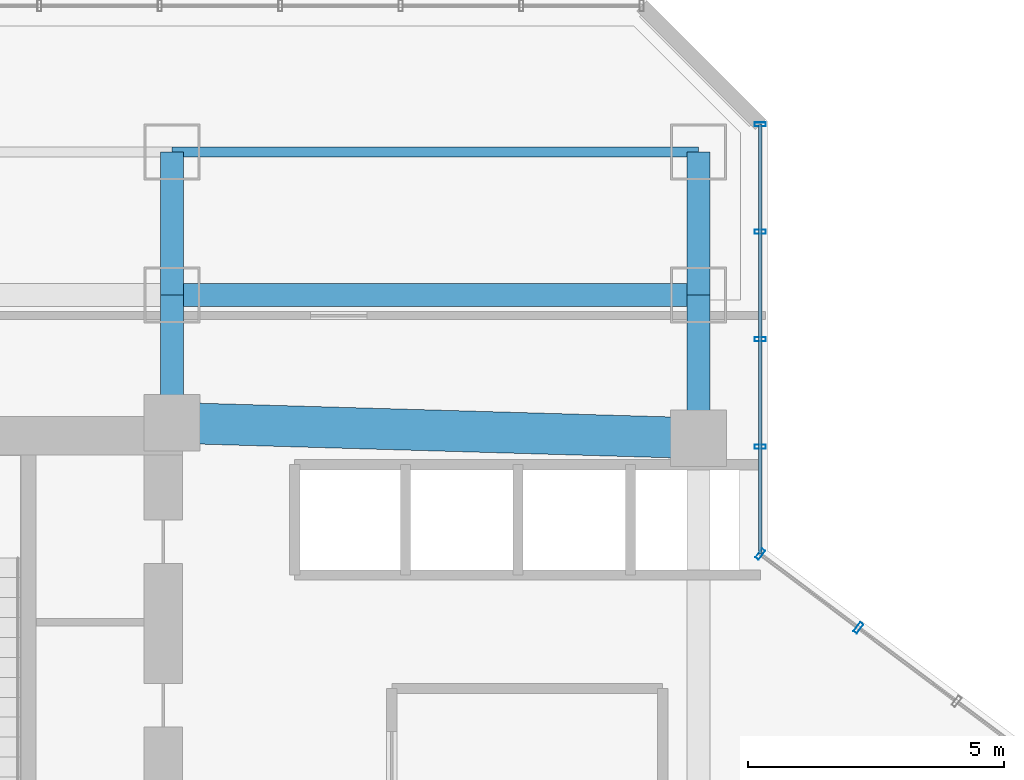
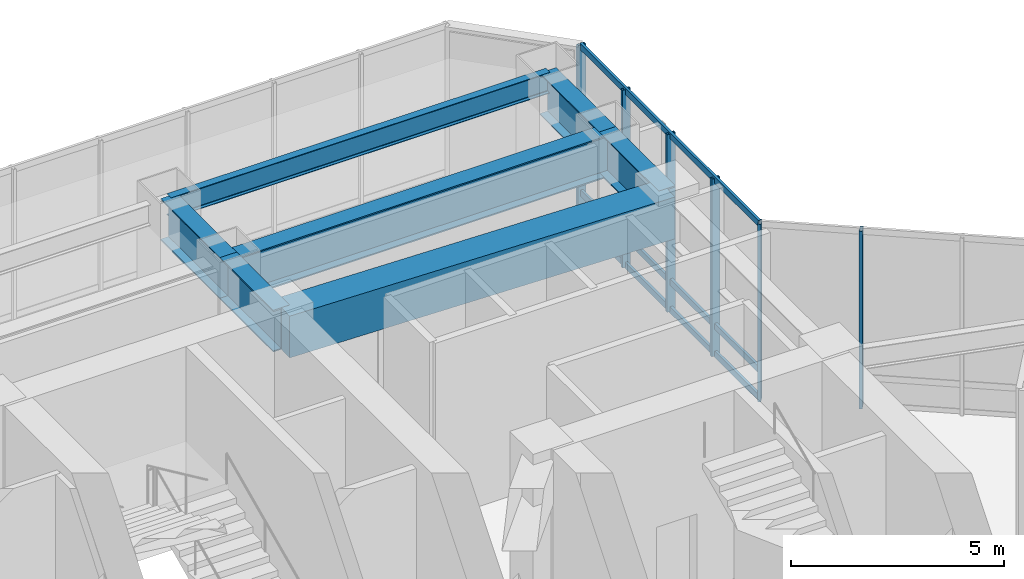
# One storey, part 20 of 35: 9 members, 7 beams, 2 elements without a shape of their own.
"""IFC4 building model written with IfcOpenShell, lengths in metres."""

from ifc_helpers import new_model, si_unit, direction, frame, origin, origin_2d, place, context, subcontext, project, spatial, rectangle, hollow_rectangle, i_section, extrude, material, layer, layer_set, material_profile, profile_set, type_object, element, aggregate, save


model = new_model("IFC4")

# Units and contexts
model_context = context("Model", 3, precision=1e-05, world=origin(), true_north=direction((0.0, 1.0)))
body_context = subcontext(model_context, "Body", "Model", "MODEL_VIEW")
ifc_project = project(units=[si_unit("LENGTHUNIT", "METRE"), si_unit("AREAUNIT", "SQUARE_METRE"), si_unit("VOLUMEUNIT", "CUBIC_METRE"), si_unit("PLANEANGLEUNIT", "RADIAN"), si_unit("MASSUNIT", "GRAM", prefix="KILO")], contexts=[model_context])

# Site, building, storey
site_placement = place(None, origin())
site = spatial("IfcSite", under=ifc_project, at=site_placement, CompositionType="ELEMENT")
building_placement = place(site_placement, origin())
building = spatial("IfcBuilding", under=site, at=building_placement, Name="Hatsunagi Terrace Concourse", CompositionType="ELEMENT")
storey_placement = place(building_placement, frame((0.0, 0.0, 5.39990234375)))
storey = spatial("IfcBuildingStorey", under=building, at=storey_placement, Name="L02", CompositionType="ELEMENT", Elevation=5.39990234375)

# Beam
ifc_material_1 = material(Name="Concrete Fc60", Category="concrete")
ifc_material_profile_1 = material_profile(ifc_material_1, rectangle(XDim=0.800048828125, YDim=1.199951171875, at=origin_2d()), Name="RC-800x1200")
ifc_profile_set_1 = profile_set([ifc_material_profile_1], Name="Concrete Fc60")
beam_type_1 = type_object("IfcBeamType", Name="CoreCouplingBeam_RC_800x1200", PredefinedType="BEAM", material=ifc_profile_set_1)
beam_1_placement = place(storey_placement, frame((33.35009765625, 43.300048828125, 4.5), z_axis=(0.999575947545, -0.029119153303, 0.0), x_axis=(0.029119153303, 0.999575947545, 0.0)))
element("IfcBeam", 1, at=beam_1_placement, inside=storey, type_object=beam_type_1, Name="Beam CB-01 CB-L02-2", PredefinedType="BEAM", context=body_context, shape_type="SweptSolid", body=[
    extrude(rectangle(XDim=0.800048828125, YDim=1.199951171875, at=origin_2d()), origin(), (0.0, 0.0, 1.0), 10.30419921875),
])

# Curtain wall, members
ifc_material_2 = material(Name="Anodised Aluminium Alloy 6063-T5", Category="aluminium")
ifc_layer = layer(ifc_material_2, 0.199951171875)
ifc_layer_set = layer_set([ifc_layer], Name="PodiumStorefront_CW01")
curtain_wall_type = type_object("IfcCurtainWallType", Name="PodiumStorefront_CW01", PredefinedType="NOTDEFINED", material=ifc_layer_set)
curtain_wall_1_placement = place(storey_placement, origin())
curtain_wall_1 = element("IfcCurtainWall", 2, at=curtain_wall_1_placement, inside=storey, type_object=curtain_wall_type, Name="Unitised Curtain Wall CW-01 CW-L02-01", PredefinedType="NOTDEFINED")
ifc_material_3 = material(Name="Anodised Aluminium Alloy 6063-T5", Category="aluminium")
ifc_material_profile_2 = material_profile(ifc_material_3, hollow_rectangle(XDim=0.080078125, YDim=0.219970703125, WallThickness=0.0048828125, at=origin_2d()), Name="ALU-MUL-220x80x5")
ifc_profile_set_2 = profile_set([ifc_material_profile_2], Name="Anodised Aluminium Alloy 6063-T5")
member_type_1 = type_object("IfcMemberType", Name="CurtainWallMullion_Heavy_220x80", PredefinedType="MULLION", material=ifc_profile_set_2)
member_1_placement = place(storey_placement, frame((44.860107421875, 40.72998046875, 0.0), z_axis=(0.0, 0.0, 1.0), x_axis=(0.800007305671, -0.599990258982, 0.0)))
member_1 = element("IfcMember", 3, at=member_1_placement, type_object=member_type_1, Name="Curtain Wall Mullion MUL-01", PredefinedType="MULLION", context=body_context, shape_type="SweptSolid", body=[
    extrude(hollow_rectangle(XDim=0.080078125, YDim=0.219970703125, WallThickness=0.0048828125, at=origin_2d()), origin(), (0.0, 0.0, 1.0), 5.10009765625),
])
member_2_placement = place(storey_placement, frame((46.781005859375, 39.2890625, 0.0), z_axis=(0.0, 0.0, 1.0), x_axis=(0.800007305671, -0.599990258982, 0.0)))
member_2 = element("IfcMember", 4, at=member_2_placement, type_object=member_type_1, Name="Curtain Wall Mullion MUL-01", PredefinedType="MULLION", context=body_context, shape_type="SweptSolid", body=[
    extrude(hollow_rectangle(XDim=0.080078125, YDim=0.219970703125, WallThickness=0.0048828125, at=origin_2d()), origin(), (0.0, 0.0, 1.0), 5.10009765625),
])
aggregate(curtain_wall_1, [member_1, member_2])

curtain_wall_2_placement = place(storey_placement, origin())
curtain_wall_2 = element("IfcCurtainWall", 5, at=curtain_wall_2_placement, inside=storey, type_object=curtain_wall_type, Name="Unitised Curtain Wall CW-01 CW-L02-14", PredefinedType="NOTDEFINED")
member_3_placement = place(storey_placement, frame((44.860107421875, 49.14208984375, 0.0), z_axis=(0.0, 0.0, 1.0), x_axis=(0.0, -1.0, 0.0)))
member_3 = element("IfcMember", 6, at=member_3_placement, type_object=member_type_1, Name="Curtain Wall Mullion MUL-01", PredefinedType="MULLION", context=body_context, shape_type="SweptSolid", body=[
    extrude(hollow_rectangle(XDim=0.080078125, YDim=0.219970703125, WallThickness=0.0048828125, at=origin_2d()), origin(), (0.0, 0.0, 1.0), 5.10009765625),
])
member_4_placement = place(storey_placement, frame((44.860107421875, 47.0390625, 0.0), z_axis=(0.0, 0.0, 1.0), x_axis=(0.0, -1.0, 0.0)))
member_4 = element("IfcMember", 7, at=member_4_placement, type_object=member_type_1, Name="Curtain Wall Mullion MUL-01", PredefinedType="MULLION", context=body_context, shape_type="SweptSolid", body=[
    extrude(hollow_rectangle(XDim=0.080078125, YDim=0.219970703125, WallThickness=0.0048828125, at=origin_2d()), origin(), (0.0, 0.0, 1.0), 5.10009765625),
])
member_5_placement = place(storey_placement, frame((44.860107421875, 44.93603515625, 0.0), z_axis=(0.0, 0.0, 1.0), x_axis=(0.0, -1.0, 0.0)))
member_5 = element("IfcMember", 8, at=member_5_placement, type_object=member_type_1, Name="Curtain Wall Mullion MUL-01", PredefinedType="MULLION", context=body_context, shape_type="SweptSolid", body=[
    extrude(hollow_rectangle(XDim=0.080078125, YDim=0.219970703125, WallThickness=0.0048828125, at=origin_2d()), origin(), (0.0, 0.0, 1.0), 5.10009765625),
])
member_6_placement = place(storey_placement, frame((44.860107421875, 42.8330078125, 0.0), z_axis=(0.0, 0.0, 1.0), x_axis=(0.0, -1.0, 0.0)))
member_6 = element("IfcMember", 9, at=member_6_placement, type_object=member_type_1, Name="Curtain Wall Mullion MUL-01", PredefinedType="MULLION", context=body_context, shape_type="SweptSolid", body=[
    extrude(hollow_rectangle(XDim=0.080078125, YDim=0.219970703125, WallThickness=0.0048828125, at=origin_2d()), origin(), (0.0, 0.0, 1.0), 5.10009765625),
])
ifc_material_4 = material(Name="Anodised Aluminium Alloy 6063-T5", Category="aluminium")
ifc_material_profile_3 = material_profile(ifc_material_4, hollow_rectangle(XDim=0.070068359375, YDim=0.179931640625, WallThickness=0.00390625, at=origin_2d()), Name="ALU-TRN-180x70x4")
ifc_profile_set_3 = profile_set([ifc_material_profile_3], Name="Anodised Aluminium Alloy 6063-T5")
member_type_2 = type_object("IfcMemberType", Name="CurtainWallTransom_Heavy_180x70", PredefinedType="USERDEFINED", material=ifc_profile_set_3)
member_7_placement = place(storey_placement, frame((44.860107421875, 49.14208984375, 0.050048828125), z_axis=(0.0, -1.0, 0.0), x_axis=(1.0, 0.0, 0.0)))
member_7 = element("IfcMember", 10, at=member_7_placement, type_object=member_type_2, Name="Curtain Wall Transom TRN-01", ObjectType="TRANSOM", PredefinedType="USERDEFINED", context=body_context, shape_type="SweptSolid", body=[
    extrude(hollow_rectangle(XDim=0.070068359375, YDim=0.179931640625, WallThickness=0.00390625, at=origin_2d()), origin(), (0.0, 0.0, 1.0), 8.412109375),
])
member_8_placement = place(storey_placement, frame((44.860107421875, 49.14208984375, 0.85009765625), z_axis=(0.0, -1.0, 0.0), x_axis=(1.0, 0.0, 0.0)))
member_8 = element("IfcMember", 11, at=member_8_placement, type_object=member_type_2, Name="Curtain Wall Transom TRN-01", ObjectType="TRANSOM", PredefinedType="USERDEFINED", context=body_context, shape_type="SweptSolid", body=[
    extrude(hollow_rectangle(XDim=0.070068359375, YDim=0.179931640625, WallThickness=0.00390625, at=origin_2d()), origin(), (0.0, 0.0, 1.0), 8.412109375),
])
member_9_placement = place(storey_placement, frame((44.860107421875, 49.14208984375, 5.050048828125), z_axis=(0.0, -1.0, 0.0), x_axis=(1.0, 0.0, 0.0)))
member_9 = element("IfcMember", 12, at=member_9_placement, type_object=member_type_2, Name="Curtain Wall Transom TRN-01", ObjectType="TRANSOM", PredefinedType="USERDEFINED", context=body_context, shape_type="SweptSolid", body=[
    extrude(hollow_rectangle(XDim=0.070068359375, YDim=0.179931640625, WallThickness=0.00390625, at=origin_2d()), origin(), (0.0, 0.0, 1.0), 8.412109375),
])
aggregate(curtain_wall_2, [member_3, member_4, member_5, member_6, member_7, member_8, member_9])

# Beams
ifc_material_5 = material(Name="Steel SN490B", Category="steel")
ifc_material_profile_4 = material_profile(ifc_material_5, i_section(OverallWidth=0.199951171875, OverallDepth=0.60009765625, WebThickness=0.010986328125, FlangeThickness=0.01708984375, FilletRadius=0.01806640625, at=origin_2d()), Name="H-600x200x11x17")
ifc_profile_set_4 = profile_set([ifc_material_profile_4], Name="Steel SN490B")
beam_type_2 = type_object("IfcBeamType", Name="PerimeterSpandrel_H_600x200", PredefinedType="SPANDREL", material=ifc_profile_set_4)
beam_2_placement = place(storey_placement, frame((33.35009765625, 48.60009765625, 4.800048828125), z_axis=(1.0, 0.0, 0.0), x_axis=(0.0, 1.0, 0.0)))
element("IfcBeam", 13, at=beam_2_placement, inside=storey, type_object=beam_type_2, Name="Beam SP-01 BM-L02-WN-33", PredefinedType="SPANDREL", context=body_context, shape_type="SweptSolid", body=[
    extrude(i_section(OverallWidth=0.199951171875, OverallDepth=0.60009765625, WebThickness=0.010986328125, FlangeThickness=0.01708984375, FilletRadius=0.01806640625, at=origin_2d()), origin(), (0.0, 0.0, 1.0), 10.2998046875),
])
ifc_material_6 = material(Name="Steel SN490B", Category="steel")
ifc_material_profile_5 = material_profile(ifc_material_6, i_section(OverallWidth=0.449951171875, OverallDepth=1.199951171875, WebThickness=0.02490234375, FlangeThickness=0.035888671875, at=origin_2d()), Name="BH-1200x450x25x36")
ifc_profile_set_5 = profile_set([ifc_material_profile_5], Name="Steel SN490B")
beam_type_3 = type_object("IfcBeamType", Name="PodiumHallGirder_BH_1200x450x25x36", PredefinedType="BEAM", material=ifc_profile_set_5)
beam_3_placement = place(storey_placement, frame((33.35009765625, 43.300048828125, 4.5), z_axis=(0.0, 1.0, 0.0), x_axis=(-1.0, 0.0, 0.0)))
element("IfcBeam", 14, at=beam_3_placement, inside=storey, type_object=beam_type_3, Name="Beam G-01 BM-L02-CN2", PredefinedType="BEAM", context=body_context, shape_type="SweptSolid", body=[
    extrude(i_section(OverallWidth=0.449951171875, OverallDepth=1.199951171875, WebThickness=0.02490234375, FlangeThickness=0.035888671875, at=origin_2d()), origin(), (0.0, 0.0, 1.0), 2.5),
])
beam_4_placement = place(storey_placement, frame((43.64990234375, 43.0, 4.5), z_axis=(0.0, 1.0, 0.0), x_axis=(-1.0, 0.0, 0.0)))
element("IfcBeam", 15, at=beam_4_placement, inside=storey, type_object=beam_type_3, Name="Beam G-01 BM-L02-CN3", PredefinedType="BEAM", context=body_context, shape_type="SweptSolid", body=[
    extrude(i_section(OverallWidth=0.449951171875, OverallDepth=1.199951171875, WebThickness=0.02490234375, FlangeThickness=0.035888671875, at=origin_2d()), origin(), (0.0, 0.0, 1.0), 2.800048828125),
])
beam_5_placement = place(storey_placement, frame((33.35009765625, 45.800048828125, 4.5), z_axis=(1.0, 0.0, 0.0), x_axis=(0.0, 1.0, 0.0)))
element("IfcBeam", 16, at=beam_5_placement, inside=storey, type_object=beam_type_3, Name="Beam G-01 BM-L02-CNEW2", PredefinedType="BEAM", context=body_context, shape_type="SweptSolid", body=[
    extrude(i_section(OverallWidth=0.449951171875, OverallDepth=1.199951171875, WebThickness=0.02490234375, FlangeThickness=0.035888671875, at=origin_2d()), origin(), (0.0, 0.0, 1.0), 10.2998046875),
])
for number, where, z_axis, x_axis, name in (
    (17, (33.35009765625, 45.800048828125, 4.5), (0.0, 1.0, 0.0), (-1.0, 0.0, 0.0), "Beam G-01 BM-L02-KN-WN5"),
    (18, (43.64990234375, 45.800048828125, 4.5), (0.0, 1.0, 0.0), (-1.0, 0.0, 0.0), "Beam G-01 BM-L02-KN-WN6"),
):
    element("IfcBeam", number, at=place(storey_placement, frame(where, z_axis=z_axis, x_axis=x_axis)), inside=storey, type_object=beam_type_3, Name=name, PredefinedType="BEAM", context=body_context, shape_type="SweptSolid", body=[
        extrude(i_section(OverallWidth=0.449951171875, OverallDepth=1.199951171875, WebThickness=0.02490234375, FlangeThickness=0.035888671875, at=origin_2d()), origin(), (0.0, 0.0, 1.0), 2.800048828125),
    ])

save(model, "model.ifc")
